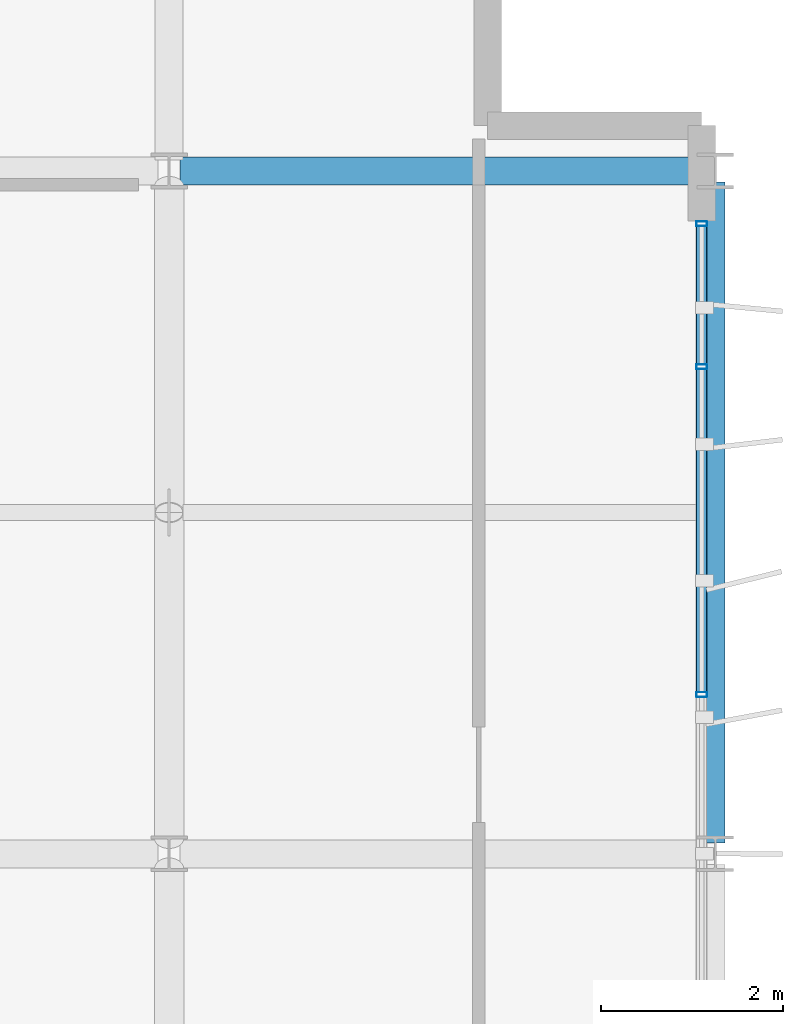
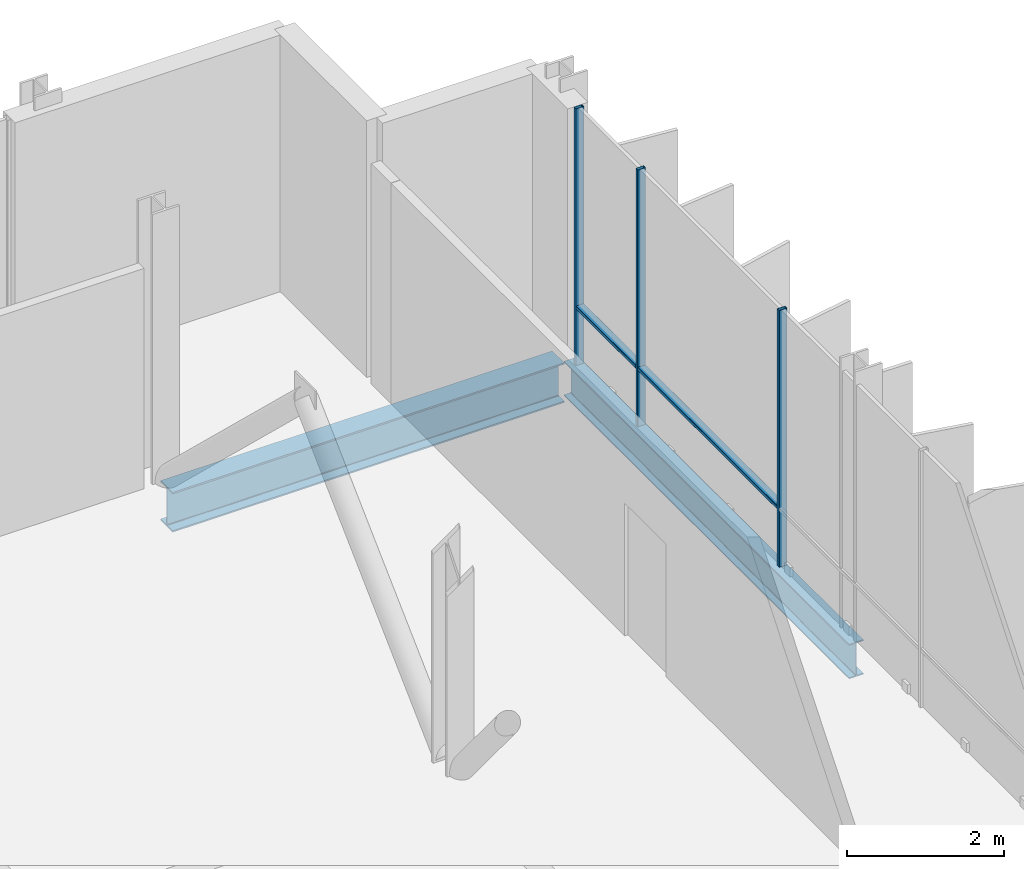
# One storey, part 22 of 33: 5 members, 2 beams, 1 element without a shape of its own.
"""IFC4 building model written with IfcOpenShell, lengths in metres."""

from ifc_helpers import new_model, si_unit, direction, frame, origin, origin_2d, place, context, subcontext, project, spatial, hollow_rectangle, i_section, extrude, material, layer, layer_set, material_profile, profile_set, type_object, element, aggregate, save


model = new_model("IFC4")

# Units and contexts
model_context = context("Model", 3, precision=1e-05, world=origin(), true_north=direction((0.0, 1.0)))
body_context = subcontext(model_context, "Body", "Model", "MODEL_VIEW")
ifc_project = project(units=[si_unit("LENGTHUNIT", "METRE"), si_unit("AREAUNIT", "SQUARE_METRE"), si_unit("VOLUMEUNIT", "CUBIC_METRE"), si_unit("PLANEANGLEUNIT", "RADIAN"), si_unit("MASSUNIT", "GRAM", prefix="KILO")], contexts=[model_context])

# Site, building, storey
site_placement = place(None, origin())
site = spatial("IfcSite", under=ifc_project, at=site_placement, CompositionType="ELEMENT")
building_placement = place(site_placement, origin())
building = spatial("IfcBuilding", under=site, at=building_placement, Name="Brevholm Reach", CompositionType="ELEMENT")
storey_placement = place(building_placement, frame((0.0, 0.0, 179.0)))
storey = spatial("IfcBuildingStorey", under=building, at=storey_placement, Name="L54", CompositionType="ELEMENT", Elevation=179.0)

# Beams
ifc_material_1 = material(Name="Structural Steel S355J2", Category="steel")
ifc_material_profile_1 = material_profile(ifc_material_1, i_section(OverallWidth=0.210693359375, OverallDepth=0.53955078125, WebThickness=0.01171875, FlangeThickness=0.018798828125, FilletRadius=0.0126953125, at=origin_2d()), Name="UKB 533x210x109")
ifc_profile_set_1 = profile_set([ifc_material_profile_1], Name="Structural Steel S355J2")
beam_type_1 = type_object("IfcBeamType", Name="BM-SP539", PredefinedType="SPANDREL", material=ifc_profile_set_1)
beam_1_placement = place(storey_placement, frame((60.0, 16.1201171875, -0.52978515625), z_axis=(0.0, 1.0, 0.0), x_axis=(-1.0, 0.0, 0.0)))
element("IfcBeam", 1, at=beam_1_placement, inside=storey, type_object=beam_type_1, Name="L54 SP-01B Framing Beam", PredefinedType="SPANDREL", context=body_context, shape_type="SweptSolid", body=[
    extrude(i_section(OverallWidth=0.210693359375, OverallDepth=0.53955078125, WebThickness=0.01171875, FlangeThickness=0.018798828125, FilletRadius=0.0126953125, at=origin_2d()), origin(), (0.0, 0.0, 1.0), 7.259765625),
])
ifc_material_2 = material(Name="Structural Steel S355J2", Category="steel")
ifc_material_profile_2 = material_profile(ifc_material_2, i_section(OverallWidth=0.30712890625, OverallDepth=0.6201171875, WebThickness=0.01416015625, FlangeThickness=0.023681640625, FilletRadius=0.0166015625, at=origin_2d()), Name="UKB 610x305x179")
ifc_profile_set_2 = profile_set([ifc_material_profile_2], Name="Structural Steel S355J2")
beam_type_2 = type_object("IfcBeamType", Name="BM-UKB610H", PredefinedType="USERDEFINED", material=ifc_profile_set_2)
beam_2_placement = place(storey_placement, frame((54.1201171875, 23.5, -0.570068359375), z_axis=(1.0, 0.0, 0.0), x_axis=(0.0, 1.0, 0.0)))
element("IfcBeam", 2, at=beam_2_placement, inside=storey, type_object=beam_type_2, Name="L54 G-06 Framing Beam", ObjectType="GIRDER", PredefinedType="USERDEFINED", context=body_context, shape_type="SweptSolid", body=[
    extrude(i_section(OverallWidth=0.30712890625, OverallDepth=0.6201171875, WebThickness=0.01416015625, FlangeThickness=0.023681640625, FilletRadius=0.0166015625, at=origin_2d()), origin(), (0.0, 0.0, 1.0), 5.759765625),
])

# Curtain wall, members
ifc_material_3 = material(Name="Dark Anodised Aluminium 6063-T6 and Solar-Control Glass", Category="aluminium")
ifc_layer = layer(ifc_material_3, 0.1201171875)
ifc_layer_set = layer_set([ifc_layer], Name="Dark Anodised Aluminium 6063-T6 and Solar-Control Glass")
curtain_wall_type = type_object("IfcCurtainWallType", Name="CW-06", PredefinedType="NOTDEFINED", material=ifc_layer_set)
curtain_wall_placement = place(storey_placement, origin())
curtain_wall = element("IfcCurtainWall", 3, at=curtain_wall_placement, inside=storey, type_object=curtain_wall_type, Name="L54 Curtain Wall CW-06", PredefinedType="NOTDEFINED")
ifc_material_4 = material(Name="Dark Anodised Aluminium 6063-T6", Category="aluminium")
ifc_material_profile_3 = material_profile(ifc_material_4, hollow_rectangle(XDim=0.054931640625, YDim=0.1201171875, WallThickness=0.00390625, InnerFilletRadius=0.00390625, OuterFilletRadius=0.008056640625, at=origin_2d()), Name="RHS 120x55x4")
ifc_profile_set_3 = profile_set([ifc_material_profile_3], Name="Dark Anodised Aluminium 6063-T6")
member_type_1 = type_object("IfcMemberType", Name="CWM-120", PredefinedType="MULLION", material=ifc_profile_set_3)
member_1_placement = place(storey_placement, frame((59.85009765625, 17.75, 0.0), z_axis=(0.0, 0.0, 1.0), x_axis=(0.0, 1.0, 0.0)))
member_1 = element("IfcMember", 4, at=member_1_placement, type_object=member_type_1, Name="CM-120 Mullion 3", PredefinedType="MULLION", context=body_context, shape_type="SweptSolid", body=[
    extrude(hollow_rectangle(XDim=0.054931640625, YDim=0.1201171875, WallThickness=0.00390625, InnerFilletRadius=0.00390625, OuterFilletRadius=0.008056640625, at=origin_2d()), origin(), (0.0, 0.0, 1.0), 3.989990234375),
])
member_2_placement = place(storey_placement, frame((59.85009765625, 21.35009765625, 0.0), z_axis=(0.0, 0.0, 1.0), x_axis=(0.0, 1.0, 0.0)))
member_2 = element("IfcMember", 5, at=member_2_placement, type_object=member_type_1, Name="CM-120 Mullion 4", PredefinedType="MULLION", context=body_context, shape_type="SweptSolid", body=[
    extrude(hollow_rectangle(XDim=0.054931640625, YDim=0.1201171875, WallThickness=0.00390625, InnerFilletRadius=0.00390625, OuterFilletRadius=0.008056640625, at=origin_2d()), origin(), (0.0, 0.0, 1.0), 3.989990234375),
])
member_3_placement = place(storey_placement, frame((59.85009765625, 22.922607421875, 0.0), z_axis=(0.0, 0.0, 1.0), x_axis=(0.0, 1.0, 0.0)))
member_3 = element("IfcMember", 6, at=member_3_placement, type_object=member_type_1, Name="CM-120 Mullion 5", PredefinedType="MULLION", context=body_context, shape_type="SweptSolid", body=[
    extrude(hollow_rectangle(XDim=0.054931640625, YDim=0.1201171875, WallThickness=0.00390625, InnerFilletRadius=0.00390625, OuterFilletRadius=0.008056640625, at=origin_2d()), origin(), (0.0, 0.0, 1.0), 3.989990234375),
])
ifc_material_5 = material(Name="Dark Anodised Aluminium 6063-T6", Category="aluminium")
ifc_material_profile_4 = material_profile(ifc_material_5, hollow_rectangle(XDim=0.054931640625, YDim=0.1201171875, WallThickness=0.00390625, InnerFilletRadius=0.00390625, OuterFilletRadius=0.008056640625, at=origin_2d()), Name="RHS 120x55x4")
ifc_profile_set_4 = profile_set([ifc_material_profile_4], Name="Dark Anodised Aluminium 6063-T6")
member_type_2 = type_object("IfcMemberType", Name="CWT-120", PredefinedType="NOTDEFINED", material=ifc_profile_set_4)
member_4_placement = place(storey_placement, frame((59.85009765625, 17.777587890625, 0.89990234375), z_axis=(0.0, 1.0, 0.0), x_axis=(0.0, 0.0, 1.0)))
member_4 = element("IfcMember", 7, at=member_4_placement, type_object=member_type_2, Name="CT-120 Transom 3.1", ObjectType="TRANSOM", PredefinedType="USERDEFINED", context=body_context, shape_type="SweptSolid", body=[
    extrude(hollow_rectangle(XDim=0.054931640625, YDim=0.1201171875, WallThickness=0.00390625, InnerFilletRadius=0.00390625, OuterFilletRadius=0.008056640625, at=origin_2d()), origin(), (0.0, 0.0, 1.0), 3.544921875),
])
member_5_placement = place(storey_placement, frame((59.85009765625, 21.37744140625, 0.89990234375), z_axis=(0.0, 1.0, 0.0), x_axis=(0.0, 0.0, 1.0)))
member_5 = element("IfcMember", 8, at=member_5_placement, type_object=member_type_2, Name="CT-120 Transom 4.1", ObjectType="TRANSOM", PredefinedType="USERDEFINED", context=body_context, shape_type="SweptSolid", body=[
    extrude(hollow_rectangle(XDim=0.054931640625, YDim=0.1201171875, WallThickness=0.00390625, InnerFilletRadius=0.00390625, OuterFilletRadius=0.008056640625, at=origin_2d()), origin(), (0.0, 0.0, 1.0), 1.517578125),
])
aggregate(curtain_wall, [member_1, member_2, member_3, member_4, member_5])

save(model, "model.ifc")
